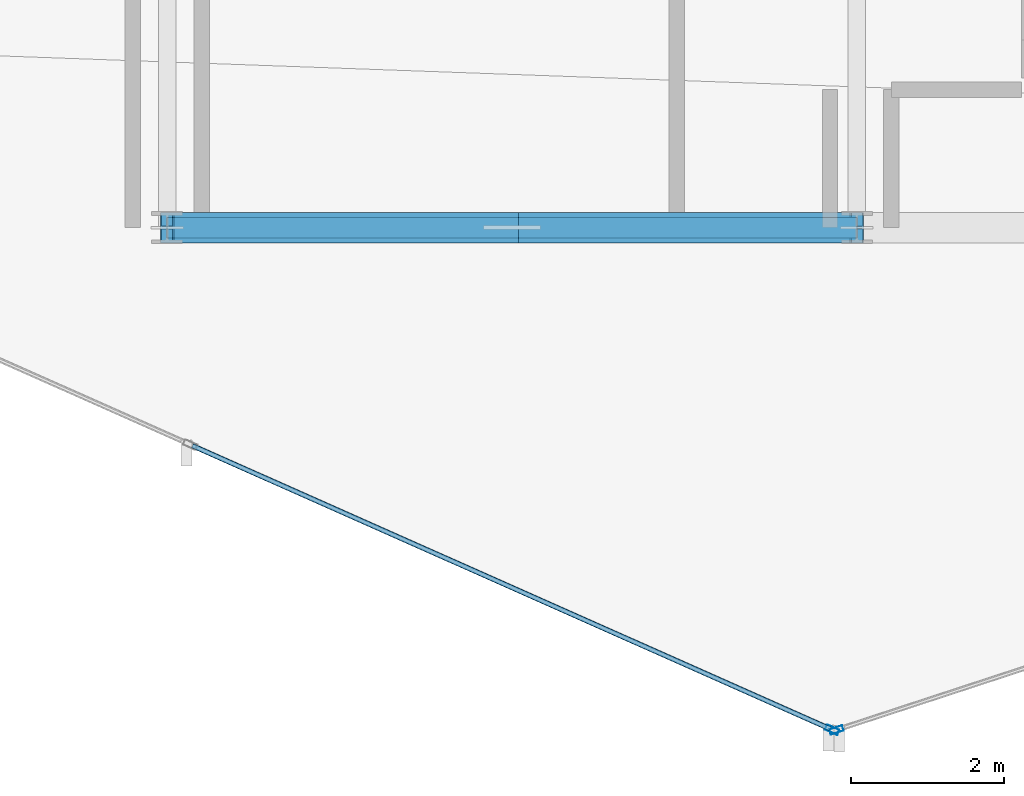
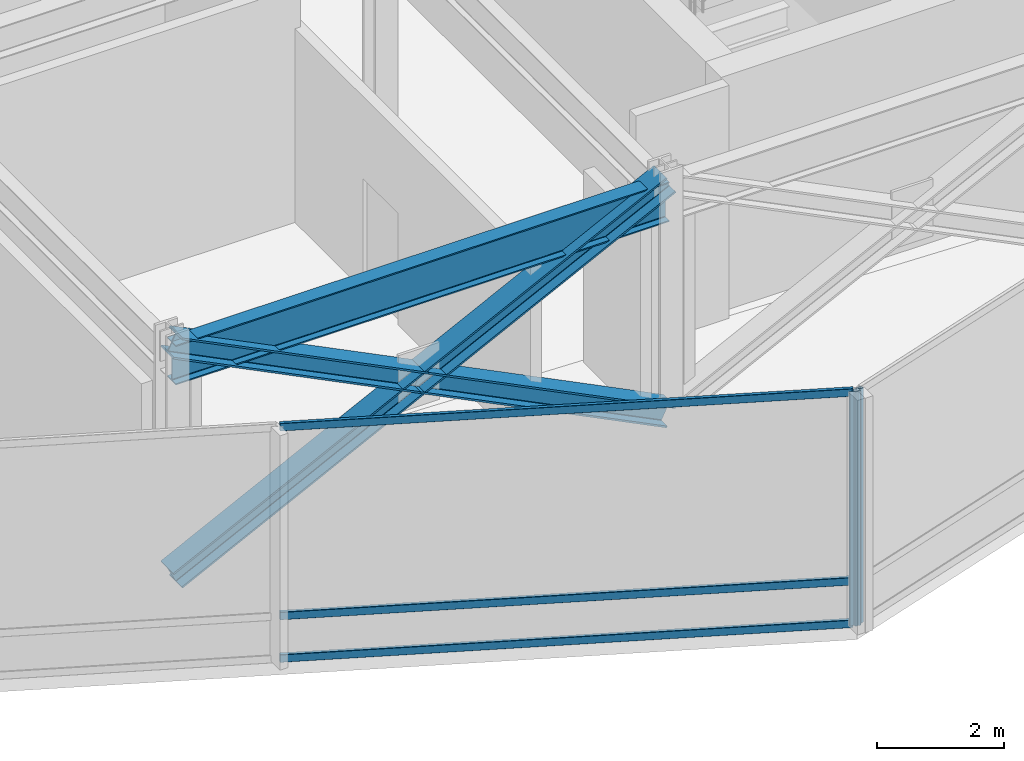
# One storey, part 4 of 30: 8 members, 1 beam, 2 elements without a shape of their own.
"""IFC4 building model written with IfcOpenShell, lengths in metres."""

from ifc_helpers import new_model, si_unit, direction, frame, origin, origin_2d, place, context, subcontext, project, spatial, hollow_rectangle, i_section, extrude, material, layer, layer_set, material_profile, profile_set, type_object, element, aggregate, save


model = new_model("IFC4")

# Units and contexts
model_context = context("Model", 3, precision=1e-05, world=origin(), true_north=direction((0.0, 1.0)))
body_context = subcontext(model_context, "Body", "Model", "MODEL_VIEW")
ifc_project = project(units=[si_unit("LENGTHUNIT", "METRE"), si_unit("AREAUNIT", "SQUARE_METRE"), si_unit("VOLUMEUNIT", "CUBIC_METRE"), si_unit("PLANEANGLEUNIT", "RADIAN"), si_unit("MASSUNIT", "GRAM", prefix="KILO")], contexts=[model_context])

# Site, building, storey
site_placement = place(None, origin())
site = spatial("IfcSite", under=ifc_project, at=site_placement, CompositionType="ELEMENT")
building_placement = place(site_placement, origin())
building = spatial("IfcBuilding", under=site, at=building_placement, Name="Solvaryn Broadcast Tower", CompositionType="ELEMENT")
storey_placement = place(building_placement, frame((0.0, 0.0, 196.39990234375)))
storey = spatial("IfcBuildingStorey", under=building, at=storey_placement, Name="L49", CompositionType="ELEMENT", Elevation=196.39990234375)

# Beam
ifc_material_1 = material(Name="Steel ASTM A992 Grade 50", Category="steel")
ifc_material_profile_1 = material_profile(ifc_material_1, i_section(OverallWidth=0.26708984375, OverallDepth=0.76611328125, WebThickness=0.014892578125, FlangeThickness=0.023681640625, FilletRadius=0.01806640625, at=origin_2d()))
ifc_profile_set_1 = profile_set([ifc_material_profile_1], Name="Steel ASTM A992 Grade 50")
beam_type = type_object("IfcBeamType", Name="BM-SP2-W30X124", PredefinedType="USERDEFINED", material=ifc_profile_set_1)
beam_placement = place(storey_placement, frame((18.0, 9.0, 4.13720703125), z_axis=(1.0, 0.0, 0.0), x_axis=(0.0, 1.0, 0.0)))
element("IfcBeam", 1, at=beam_placement, inside=storey, type_object=beam_type, Name="L49 Spandrel Beam X (18-27 @ Y=9)", ObjectType="SPANDREL", PredefinedType="USERDEFINED", context=body_context, shape_type="SweptSolid", body=[
    extrude(i_section(OverallWidth=0.26708984375, OverallDepth=0.76611328125, WebThickness=0.014892578125, FlangeThickness=0.023681640625, FilletRadius=0.01806640625, at=origin_2d()), origin(), (0.0, 0.0, 1.0), 9.0),
])

# Curtain wall, member
ifc_material_2 = material(Name="Aluminium and Terracotta Unitised Curtain Wall", Category="masonry")
ifc_layer = layer(ifc_material_2, 0.199951171875)
ifc_layer_set = layer_set([ifc_layer], Name="CW-SYS2-LOWMID")
curtain_wall_type = type_object("IfcCurtainWallType", Name="CW-SYS2-LOWMID", PredefinedType="NOTDEFINED", material=ifc_layer_set)
curtain_wall_1_placement = place(storey_placement, origin())
curtain_wall_1 = element("IfcCurtainWall", 2, at=curtain_wall_1_placement, inside=storey, type_object=curtain_wall_type, Name="L49 Curtain Wall DR3", PredefinedType="NOTDEFINED")
ifc_material_3 = material(Name="Anodised Aluminium 6063-T6", Category="aluminium")
ifc_material_profile_2 = material_profile(ifc_material_3, hollow_rectangle(XDim=0.074951171875, YDim=0.179931640625, WallThickness=0.00390625, InnerFilletRadius=0.00390625, OuterFilletRadius=0.008056640625, at=origin_2d()))
ifc_profile_set_2 = profile_set([ifc_material_profile_2], Name="Anodised Aluminium 6063-T6")
member_type_1 = type_object("IfcMemberType", Name="CW-MUL-180", PredefinedType="MULLION", material=ifc_profile_set_2)
member_1_placement = place(storey_placement, frame((26.678466796875, 2.445068359375, 0.0), z_axis=(0.0, 0.0, 1.0), x_axis=(0.405901337237, 0.913916902365, 0.0)))
member_1 = element("IfcMember", 3, at=member_1_placement, type_object=member_type_1, Name="CWS2 mullion 3", PredefinedType="MULLION", context=body_context, shape_type="SweptSolid", body=[
    extrude(hollow_rectangle(XDim=0.074951171875, YDim=0.179931640625, WallThickness=0.00390625, InnerFilletRadius=0.00390625, OuterFilletRadius=0.008056640625, at=origin_2d()), origin(), (0.0, 0.0, 1.0), 4.52001953125),
])

curtain_wall_2_placement = place(storey_placement, origin())
curtain_wall_2 = element("IfcCurtainWall", 4, at=curtain_wall_2_placement, inside=storey, type_object=curtain_wall_type, Name="L49 Curtain Wall DR4", PredefinedType="NOTDEFINED")
member_2_placement = place(storey_placement, frame((26.734619140625, 2.4423828125, 0.0), z_axis=(0.0, 0.0, 1.0), x_axis=(-0.311558717623, 0.950226902099, 0.0)))
member_2 = element("IfcMember", 5, at=member_2_placement, type_object=member_type_1, Name="CWS2 mullion 1", PredefinedType="MULLION", context=body_context, shape_type="SweptSolid", body=[
    extrude(hollow_rectangle(XDim=0.074951171875, YDim=0.179931640625, WallThickness=0.00390625, InnerFilletRadius=0.00390625, OuterFilletRadius=0.008056640625, at=origin_2d()), origin(), (0.0, 0.0, 1.0), 4.52001953125),
])
aggregate(curtain_wall_2, [member_2])

# Member
ifc_material_4 = material(Name="Anodised Aluminium 6063-T6", Category="aluminium")
ifc_material_profile_3 = material_profile(ifc_material_4, hollow_rectangle(XDim=0.06494140625, YDim=0.14990234375, WallThickness=0.00390625, InnerFilletRadius=0.00390625, OuterFilletRadius=0.008056640625, at=origin_2d()))
ifc_profile_set_3 = profile_set([ifc_material_profile_3], Name="Anodised Aluminium 6063-T6")
member_type_2 = type_object("IfcMemberType", Name="CW-TRN-150", PredefinedType="USERDEFINED", material=ifc_profile_set_3)
member_3_placement = place(storey_placement, frame((18.329345703125, 6.1533203125, 0.030029296875), z_axis=(0.913914344793, -0.405907095752, 0.0), x_axis=(0.405907095752, 0.913914344793, 0.0)))
member_3 = element("IfcMember", 6, at=member_3_placement, type_object=member_type_2, Name="CWS2 transom 2.1", ObjectType="TRANSOM", PredefinedType="USERDEFINED", context=body_context, shape_type="SweptSolid", body=[
    extrude(hollow_rectangle(XDim=0.06494140625, YDim=0.14990234375, WallThickness=0.00390625, InnerFilletRadius=0.00390625, OuterFilletRadius=0.008056640625, at=origin_2d()), origin(), (0.0, 0.0, 1.0), 9.105712890625),
])

member_4_placement = place(storey_placement, frame((18.329345703125, 6.1533203125, 0.85009765625), z_axis=(0.913914344793, -0.405907095752, 0.0), x_axis=(0.405907095752, 0.913914344793, 0.0)))
member_4 = element("IfcMember", 7, at=member_4_placement, type_object=member_type_2, Name="CWS2 transom 2.2", ObjectType="TRANSOM", PredefinedType="USERDEFINED", context=body_context, shape_type="SweptSolid", body=[
    extrude(hollow_rectangle(XDim=0.06494140625, YDim=0.14990234375, WallThickness=0.00390625, InnerFilletRadius=0.00390625, OuterFilletRadius=0.008056640625, at=origin_2d()), origin(), (0.0, 0.0, 1.0), 9.105712890625),
])

member_5_placement = place(storey_placement, frame((18.329345703125, 6.1533203125, 4.489990234375), z_axis=(0.913914344793, -0.405907095752, 0.0), x_axis=(0.405907095752, 0.913914344793, 0.0)))
member_5 = element("IfcMember", 8, at=member_5_placement, type_object=member_type_2, Name="CWS2 transom 2.3", ObjectType="TRANSOM", PredefinedType="USERDEFINED", context=body_context, shape_type="SweptSolid", body=[
    extrude(hollow_rectangle(XDim=0.06494140625, YDim=0.14990234375, WallThickness=0.00390625, InnerFilletRadius=0.00390625, OuterFilletRadius=0.008056640625, at=origin_2d()), origin(), (0.0, 0.0, 1.0), 9.105712890625),
])

aggregate(curtain_wall_1, [member_1, member_3, member_4, member_5])

# Members
ifc_material_5 = material(Name="Steel ASTM A913 Grade 65", Category="steel")
ifc_material_profile_4 = material_profile(ifc_material_5, i_section(OverallWidth=0.39697265625, OverallDepth=0.386962890625, WebThickness=0.02099609375, FlangeThickness=0.033203125, FilletRadius=0.014892578125, at=origin_2d()))
ifc_profile_set_4 = profile_set([ifc_material_profile_4], Name="Steel ASTM A913 Grade 65")
member_type_3 = type_object("IfcMemberType", Name="MB-BELT-2", PredefinedType="BRACE", material=ifc_profile_set_4)
member_6_placement = place(storey_placement, frame((18.0, 9.0, 0.02001953125), z_axis=(0.895222302563, 0.0, 0.44561982563), x_axis=(0.0, 1.0, 0.0)))
element("IfcMember", 9, at=member_6_placement, inside=storey, type_object=member_type_3, Name="L49 South Belt X-Brace 3 Continuous Diagonal", PredefinedType="BRACE", context=body_context, shape_type="SweptSolid", body=[
    extrude(i_section(OverallWidth=0.39697265625, OverallDepth=0.386962890625, WebThickness=0.02099609375, FlangeThickness=0.033203125, FilletRadius=0.014892578125, at=origin_2d()), origin(), (0.0, 0.0, 1.0), 10.053466796875),
])
for number, where, z_axis, x_axis, name in (
    (10, (27.0, 9.0, 0.02001953125), (-0.895222302563, 0.0, 0.44561982563), (0.0, -1.0, 0.0), "L49 South Belt X-Brace 3 Split Diagonal Lower"),
    (11, (22.5, 9.0, 2.260009765625), (-0.895222302563, 0.0, 0.44561982563), (0.0, -1.0, 0.0), "L49 South Belt X-Brace 3 Split Diagonal Upper"),
):
    element("IfcMember", number, at=place(storey_placement, frame(where, z_axis=z_axis, x_axis=x_axis)), inside=storey, type_object=member_type_3, Name=name, PredefinedType="BRACE", context=body_context, shape_type="SweptSolid", body=[
        extrude(i_section(OverallWidth=0.39697265625, OverallDepth=0.386962890625, WebThickness=0.02099609375, FlangeThickness=0.033203125, FilletRadius=0.014892578125, at=origin_2d()), origin(), (0.0, 0.0, 1.0), 5.026611328125),
    ])

save(model, "model.ifc")
